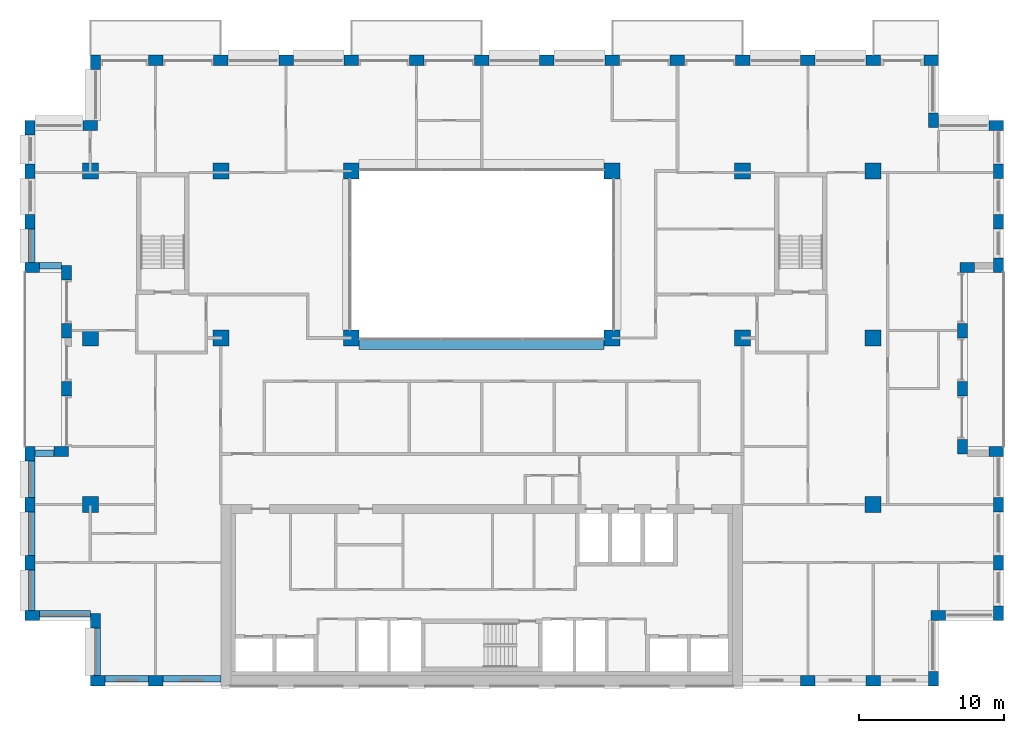
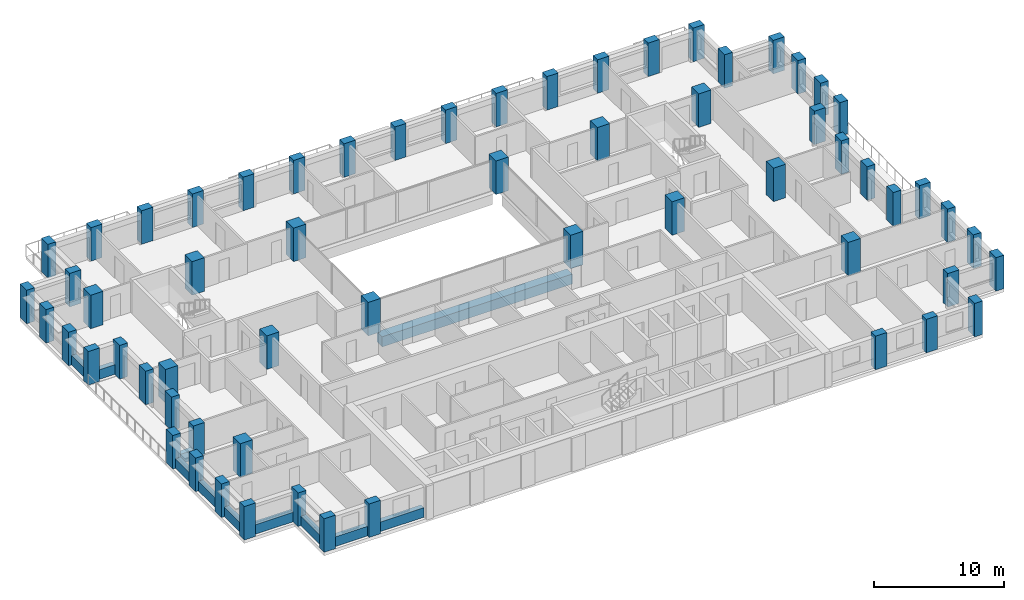
# One storey, part 1 of 16: 61 columns, 11 beams.
"""IFC4 building model written with IfcOpenShell, lengths in metres."""

from ifc_helpers import new_model, si_unit, direction, frame, origin, origin_2d, place, context, subcontext, project, spatial, rectangle, extrude, material, material_profile, profile_set, type_object, element, save


model = new_model("IFC4")

# Units and contexts
model_context = context("Model", 3, precision=1e-05, world=origin(), true_north=direction((0.0, 1.0)))
body_context = subcontext(model_context, "Body", "Model", "MODEL_VIEW")
ifc_project = project(units=[si_unit("LENGTHUNIT", "METRE"), si_unit("AREAUNIT", "SQUARE_METRE"), si_unit("VOLUMEUNIT", "CUBIC_METRE"), si_unit("PLANEANGLEUNIT", "RADIAN"), si_unit("MASSUNIT", "GRAM", prefix="KILO")], contexts=[model_context])

# Site, building, storey
site_placement = place(None, origin())
site = spatial("IfcSite", under=ifc_project, at=site_placement, CompositionType="ELEMENT")
building_placement = place(site_placement, origin())
building = spatial("IfcBuilding", under=site, at=building_placement, Name="Brigalow Station Residences", CompositionType="ELEMENT")
storey_placement = place(building_placement, frame((0.0, 0.0, 166.5)))
storey = spatial("IfcBuildingStorey", under=building, at=storey_placement, Name="L48", CompositionType="ELEMENT", Elevation=166.5)

# Columns
ifc_material_1 = material(Name="Concrete C65", Category="concrete")
ifc_material_profile_1 = material_profile(ifc_material_1, rectangle(XDim=1.10009765625, YDim=1.10009765625, at=origin_2d()), Name="RC1100x1100")
ifc_profile_set_1 = profile_set([ifc_material_profile_1], Name="Concrete C65")
column_type_1 = type_object("IfcColumnType", Name="COLUMN 1100x1100 C65", PredefinedType="COLUMN", material=ifc_profile_set_1)
for number, where, z_axis, x_axis, name in (
    (1, (9.0, 24.0, 0.0), (0.0, 0.0, 1.0), (1.0, 0.0, 0.0), "COLUMN C1 L48"),
    (2, (18.0, 24.0, 0.0), (0.0, 0.0, 1.0), (1.0, 0.0, 0.0), "COLUMN C2 L48"),
    (3, (27.0, 24.0, 0.0), (0.0, 0.0, 1.0), (1.0, 0.0, 0.0), "COLUMN C3 L48"),
    (4, (45.0, 24.0, 0.0), (0.0, 0.0, 1.0), (1.0, 0.0, 0.0), "COLUMN C5 L48"),
    (5, (54.0, 24.0, 0.0), (0.0, 0.0, 1.0), (1.0, 0.0, 0.0), "COLUMN C6 L48"),
    (6, (63.0, 24.0, 0.0), (0.0, 0.0, 1.0), (1.0, 0.0, 0.0), "COLUMN C7 L48"),
    (7, (9.0, 35.5, 0.0), (0.0, 0.0, 1.0), (1.0, 0.0, 0.0), "COLUMN D1 L48"),
    (8, (18.0, 35.5, 0.0), (0.0, 0.0, 1.0), (1.0, 0.0, 0.0), "COLUMN D2 L48"),
    (9, (27.0, 35.5, 0.0), (0.0, 0.0, 1.0), (1.0, 0.0, 0.0), "COLUMN D3 L48"),
    (10, (45.0, 35.5, 0.0), (0.0, 0.0, 1.0), (1.0, 0.0, 0.0), "COLUMN D5 L48"),
    (11, (54.0, 35.5, 0.0), (0.0, 0.0, 1.0), (1.0, 0.0, 0.0), "COLUMN D6 L48"),
    (12, (63.0, 35.5, 0.0), (0.0, 0.0, 1.0), (1.0, 0.0, 0.0), "COLUMN D7 L48"),
    (13, (9.0, 12.5, 0.0), (0.0, 0.0, 1.0), (1.0, 0.0, 0.0), "COLUMN B1 L48"),
    (14, (63.0, 12.5, 0.0), (0.0, 0.0, 1.0), (1.0, 0.0, 0.0), "COLUMN B7 L48"),
):
    element("IfcColumn", number, at=place(storey_placement, frame(where, z_axis=z_axis, x_axis=x_axis)), inside=storey, type_object=column_type_1, Name=name, PredefinedType="COLUMN", context=body_context, shape_type="SweptSolid", body=[
        extrude(rectangle(XDim=1.10009765625, YDim=1.10009765625, at=origin_2d()), origin(), (0.0, 0.0, 1.0), 3.14990234375),
    ])
ifc_material_2 = material(Name="Concrete C65", Category="concrete")
ifc_material_profile_2 = material_profile(ifc_material_2, rectangle(XDim=1.0, YDim=0.699951171875, at=origin_2d()), Name="RC1000x700")
ifc_profile_set_2 = profile_set([ifc_material_profile_2], Name="Concrete C65")
column_type_2 = type_object("IfcColumnType", Name="PIER 1000x700 C65", PredefinedType="USERDEFINED", material=ifc_profile_set_2)
for number, where, z_axis, x_axis, name in (
    (15, (9.5, 0.35009765625, 0.0), (0.0, 0.0, 1.0), (1.0, 0.0, 0.0), "PIER S-1 L48"),
    (16, (13.5, 0.35009765625, 0.0), (0.0, 0.0, 1.0), (1.0, 0.0, 0.0), "PIER S-2 L48"),
    (17, (58.5, 0.35009765625, 0.0), (0.0, 0.0, 1.0), (1.0, 0.0, 0.0), "PIER S-12 L48"),
    (18, (63.0, 0.35009765625, 0.0), (0.0, 0.0, 1.0), (1.0, 0.0, 0.0), "PIER S-13 L48"),
    (19, (67.14990234375, 0.5, 0.0), (0.0, 0.0, 1.0), (0.0, 1.0, 0.0), "PIER SE1-1 L48"),
    (20, (67.5, 4.85009765625, 0.0), (0.0, 0.0, 1.0), (1.0, 0.0, 0.0), "PIER SE2-1 L48"),
    (21, (71.64990234375, 5.0, 0.0), (0.0, 0.0, 1.0), (0.0, 1.0, 0.0), "PIER E1-1 L48"),
    (22, (71.64990234375, 8.5, 0.0), (0.0, 0.0, 1.0), (0.0, 1.0, 0.0), "PIER E1-2 L48"),
    (23, (71.64990234375, 12.5, 0.0), (0.0, 0.0, 1.0), (0.0, 1.0, 0.0), "PIER E1-3 L48"),
    (24, (71.5, 16.14990234375, 0.0), (0.0, 0.0, 1.0), (-1.0, 0.0, 0.0), "PIER EL1-1 L48"),
    (25, (69.14990234375, 16.5, 0.0), (0.0, 0.0, 1.0), (0.0, 1.0, 0.0), "PIER EL2-1 L48"),
    (26, (69.14990234375, 20.5, 0.0), (0.0, 0.0, 1.0), (0.0, 1.0, 0.0), "PIER EL2-2 L48"),
    (27, (69.14990234375, 24.5, 0.0), (0.0, 0.0, 1.0), (0.0, 1.0, 0.0), "PIER EL2-3 L48"),
    (28, (69.5, 28.85009765625, 0.0), (0.0, 0.0, 1.0), (1.0, 0.0, 0.0), "PIER EL3-1 L48"),
    (29, (71.64990234375, 29.0, 0.0), (0.0, 0.0, 1.0), (0.0, 1.0, 0.0), "PIER E2-1 L48"),
    (30, (71.64990234375, 32.0, 0.0), (0.0, 0.0, 1.0), (0.0, 1.0, 0.0), "PIER E2-2 L48"),
    (31, (71.64990234375, 35.5, 0.0), (0.0, 0.0, 1.0), (0.0, 1.0, 0.0), "PIER E2-3 L48"),
    (32, (71.5, 38.64990234375, 0.0), (0.0, 0.0, 1.0), (-1.0, 0.0, 0.0), "PIER NE1-1 L48"),
    (33, (67.14990234375, 39.0, 0.0), (0.0, 0.0, 1.0), (0.0, 1.0, 0.0), "PIER NE2-1 L48"),
    (34, (67.0, 43.14990234375, 0.0), (0.0, 0.0, 1.0), (-1.0, 0.0, 0.0), "PIER N-1 L48"),
    (35, (63.0, 43.14990234375, 0.0), (0.0, 0.0, 1.0), (-1.0, 0.0, 0.0), "PIER N-2 L48"),
    (36, (58.5, 43.14990234375, 0.0), (0.0, 0.0, 1.0), (-1.0, 0.0, 0.0), "PIER N-3 L48"),
    (37, (54.0, 43.14990234375, 0.0), (0.0, 0.0, 1.0), (-1.0, 0.0, 0.0), "PIER N-4 L48"),
    (38, (49.5, 43.14990234375, 0.0), (0.0, 0.0, 1.0), (-1.0, 0.0, 0.0), "PIER N-5 L48"),
    (39, (45.0, 43.14990234375, 0.0), (0.0, 0.0, 1.0), (-1.0, 0.0, 0.0), "PIER N-6 L48"),
    (40, (40.5, 43.14990234375, 0.0), (0.0, 0.0, 1.0), (-1.0, 0.0, 0.0), "PIER N-7 L48"),
    (41, (36.0, 43.14990234375, 0.0), (0.0, 0.0, 1.0), (-1.0, 0.0, 0.0), "PIER N-8 L48"),
    (42, (31.5, 43.14990234375, 0.0), (0.0, 0.0, 1.0), (-1.0, 0.0, 0.0), "PIER N-9 L48"),
    (43, (27.0, 43.14990234375, 0.0), (0.0, 0.0, 1.0), (-1.0, 0.0, 0.0), "PIER N-10 L48"),
    (44, (22.5, 43.14990234375, 0.0), (0.0, 0.0, 1.0), (-1.0, 0.0, 0.0), "PIER N-11 L48"),
    (45, (18.0, 43.14990234375, 0.0), (0.0, 0.0, 1.0), (-1.0, 0.0, 0.0), "PIER N-12 L48"),
    (46, (13.5, 43.14990234375, 0.0), (0.0, 0.0, 1.0), (-1.0, 0.0, 0.0), "PIER N-13 L48"),
    (47, (9.35009765625, 43.0, 0.0), (0.0, 0.0, 1.0), (0.0, -1.0, 0.0), "PIER NW1-1 L48"),
    (48, (9.0, 38.64990234375, 0.0), (0.0, 0.0, 1.0), (-1.0, 0.0, 0.0), "PIER NW2-1 L48"),
    (49, (4.85009765625, 38.5, 0.0), (0.0, 0.0, 1.0), (0.0, -1.0, 0.0), "PIER W2-1 L48"),
    (50, (4.85009765625, 35.5, 0.0), (0.0, 0.0, 1.0), (0.0, -1.0, 0.0), "PIER W2-2 L48"),
    (51, (4.85009765625, 32.0, 0.0), (0.0, 0.0, 1.0), (0.0, -1.0, 0.0), "PIER W2-3 L48"),
    (52, (5.0, 28.85009765625, 0.0), (0.0, 0.0, 1.0), (1.0, 0.0, 0.0), "PIER WL1-1 L48"),
    (53, (7.35009765625, 28.5, 0.0), (0.0, 0.0, 1.0), (0.0, -1.0, 0.0), "PIER WL2-1 L48"),
    (54, (7.35009765625, 24.5, 0.0), (0.0, 0.0, 1.0), (0.0, -1.0, 0.0), "PIER WL2-2 L48"),
    (55, (7.35009765625, 20.5, 0.0), (0.0, 0.0, 1.0), (0.0, -1.0, 0.0), "PIER WL2-3 L48"),
    (56, (7.0, 16.14990234375, 0.0), (0.0, 0.0, 1.0), (-1.0, 0.0, 0.0), "PIER WL3-1 L48"),
    (57, (4.85009765625, 16.0, 0.0), (0.0, 0.0, 1.0), (0.0, -1.0, 0.0), "PIER W1-1 L48"),
    (58, (4.85009765625, 12.5, 0.0), (0.0, 0.0, 1.0), (0.0, -1.0, 0.0), "PIER W1-2 L48"),
    (59, (4.85009765625, 8.5, 0.0), (0.0, 0.0, 1.0), (0.0, -1.0, 0.0), "PIER W1-3 L48"),
    (60, (5.0, 4.85009765625, 0.0), (0.0, 0.0, 1.0), (1.0, 0.0, 0.0), "PIER SW1-1 L48"),
    (61, (9.35009765625, 4.5, 0.0), (0.0, 0.0, 1.0), (0.0, -1.0, 0.0), "PIER SW2-1 L48"),
):
    element("IfcColumn", number, at=place(storey_placement, frame(where, z_axis=z_axis, x_axis=x_axis)), inside=storey, type_object=column_type_2, Name=name, ObjectType="PIER", PredefinedType="USERDEFINED", context=body_context, shape_type="SweptSolid", body=[
        extrude(rectangle(XDim=1.0, YDim=0.699951171875, at=origin_2d()), origin(), (0.0, 0.0, 1.0), 3.14990234375),
    ])

# Beams
ifc_material_3 = material(Name="Concrete C65", Category="concrete")
ifc_material_profile_3 = material_profile(ifc_material_3, rectangle(XDim=0.800048828125, YDim=0.949951171875, at=origin_2d()), Name="RC800x950")
ifc_profile_set_3 = profile_set([ifc_material_profile_3], Name="Concrete C65")
beam_type_1 = type_object("IfcBeamType", Name="ATRIUM EDGE GIRDER OVER 13.5 M SPAN 800x950 C65", PredefinedType="BEAM", material=ifc_profile_set_3)
beam_1_placement = place(storey_placement, frame((27.550048828125, 23.60009765625, -0.794921875), z_axis=(1.0, 0.0, 0.0), x_axis=(0.0, 1.0, 0.0)))
element("IfcBeam", 62, at=beam_1_placement, inside=storey, type_object=beam_type_1, Name="ATRIUM EDGE GIRDER C L48", PredefinedType="BEAM", context=body_context, shape_type="SweptSolid", body=[
    extrude(rectangle(XDim=0.800048828125, YDim=0.949951171875, at=origin_2d()), origin(), (0.0, 0.0, 1.0), 16.89990234375),
])
ifc_material_4 = material(Name="Concrete C50", Category="concrete")
ifc_material_profile_4 = material_profile(ifc_material_4, rectangle(XDim=0.449951171875, YDim=0.89990234375, at=origin_2d()), Name="RC450x900")
ifc_profile_set_4 = profile_set([ifc_material_profile_4], Name="Concrete C50")
beam_type_2 = type_object("IfcBeamType", Name="SPANDREL BEAM 450x900 C50", PredefinedType="SPANDREL", material=ifc_profile_set_4)
beam_2_placement = place(storey_placement, frame((10.0, 0.47509765625, 0.449951171875), z_axis=(1.0, 0.0, 0.0), x_axis=(0.0, 1.0, 0.0)))
element("IfcBeam", 63, at=beam_2_placement, inside=storey, type_object=beam_type_2, Name="L48/spandrel/W-L48-1", PredefinedType="SPANDREL", context=body_context, shape_type="SweptSolid", body=[
    extrude(rectangle(XDim=0.449951171875, YDim=0.89990234375, at=origin_2d()), origin(), (0.0, 0.0, 1.0), 3.0),
])
beam_3_placement = place(storey_placement, frame((14.0, 0.47509765625, 0.449951171875), z_axis=(1.0, 0.0, 0.0), x_axis=(0.0, 1.0, 0.0)))
element("IfcBeam", 64, at=beam_3_placement, inside=storey, type_object=beam_type_2, Name="L48/spandrel/W-L48-2", PredefinedType="SPANDREL", context=body_context, shape_type="SweptSolid", body=[
    extrude(rectangle(XDim=0.449951171875, YDim=0.89990234375, at=origin_2d()), origin(), (0.0, 0.0, 1.0), 4.0),
])
beam_4_placement = place(storey_placement, frame((4.97509765625, 31.5, 0.449951171875), z_axis=(0.0, -1.0, 0.0), x_axis=(1.0, 0.0, 0.0)))
element("IfcBeam", 65, at=beam_4_placement, inside=storey, type_object=beam_type_2, Name="L48/spandrel/W-L48-39", PredefinedType="SPANDREL", context=body_context, shape_type="SweptSolid", body=[
    extrude(rectangle(XDim=0.449951171875, YDim=0.89990234375, at=origin_2d()), origin(), (0.0, 0.0, 1.0), 2.300048828125),
])
beam_5_placement = place(storey_placement, frame((5.5, 28.97509765625, 0.449951171875), z_axis=(1.0, 0.0, 0.0), x_axis=(0.0, 1.0, 0.0)))
element("IfcBeam", 66, at=beam_5_placement, inside=storey, type_object=beam_type_2, Name="L48/spandrel/W-L48-40", PredefinedType="SPANDREL", context=body_context, shape_type="SweptSolid", body=[
    extrude(rectangle(XDim=0.449951171875, YDim=0.89990234375, at=origin_2d()), origin(), (0.0, 0.0, 1.0), 1.5),
])
beam_6_placement = place(storey_placement, frame((6.5, 16.02490234375, 0.449951171875), z_axis=(-1.0, 0.0, 0.0), x_axis=(0.0, -1.0, 0.0)))
element("IfcBeam", 67, at=beam_6_placement, inside=storey, type_object=beam_type_2, Name="L48/spandrel/W-L48-44", PredefinedType="SPANDREL", context=body_context, shape_type="SweptSolid", body=[
    extrude(rectangle(XDim=0.449951171875, YDim=0.89990234375, at=origin_2d()), origin(), (0.0, 0.0, 1.0), 1.300048828125),
])
beam_7_placement = place(storey_placement, frame((4.97509765625, 15.5, 0.449951171875), z_axis=(0.0, -1.0, 0.0), x_axis=(1.0, 0.0, 0.0)))
element("IfcBeam", 68, at=beam_7_placement, inside=storey, type_object=beam_type_2, Name="L48/spandrel/W-L48-45", PredefinedType="SPANDREL", context=body_context, shape_type="SweptSolid", body=[
    extrude(rectangle(XDim=0.449951171875, YDim=0.89990234375, at=origin_2d()), origin(), (0.0, 0.0, 1.0), 2.5),
])
beam_8_placement = place(storey_placement, frame((4.97509765625, 12.0, 0.449951171875), z_axis=(0.0, -1.0, 0.0), x_axis=(1.0, 0.0, 0.0)))
element("IfcBeam", 69, at=beam_8_placement, inside=storey, type_object=beam_type_2, Name="L48/spandrel/W-L48-46", PredefinedType="SPANDREL", context=body_context, shape_type="SweptSolid", body=[
    extrude(rectangle(XDim=0.449951171875, YDim=0.89990234375, at=origin_2d()), origin(), (0.0, 0.0, 1.0), 3.0),
])
beam_9_placement = place(storey_placement, frame((4.97509765625, 8.0, 0.449951171875), z_axis=(0.0, -1.0, 0.0), x_axis=(1.0, 0.0, 0.0)))
element("IfcBeam", 70, at=beam_9_placement, inside=storey, type_object=beam_type_2, Name="L48/spandrel/W-L48-47", PredefinedType="SPANDREL", context=body_context, shape_type="SweptSolid", body=[
    extrude(rectangle(XDim=0.449951171875, YDim=0.89990234375, at=origin_2d()), origin(), (0.0, 0.0, 1.0), 2.800048828125),
])
beam_10_placement = place(storey_placement, frame((5.5, 4.97509765625, 0.449951171875), z_axis=(1.0, 0.0, 0.0), x_axis=(0.0, 1.0, 0.0)))
element("IfcBeam", 71, at=beam_10_placement, inside=storey, type_object=beam_type_2, Name="L48/spandrel/W-L48-48", PredefinedType="SPANDREL", context=body_context, shape_type="SweptSolid", body=[
    extrude(rectangle(XDim=0.449951171875, YDim=0.89990234375, at=origin_2d()), origin(), (0.0, 0.0, 1.0), 3.5),
])
beam_11_placement = place(storey_placement, frame((9.47509765625, 4.0, 0.449951171875), z_axis=(0.0, -1.0, 0.0), x_axis=(1.0, 0.0, 0.0)))
element("IfcBeam", 72, at=beam_11_placement, inside=storey, type_object=beam_type_2, Name="L48/spandrel/W-L48-49", PredefinedType="SPANDREL", context=body_context, shape_type="SweptSolid", body=[
    extrude(rectangle(XDim=0.449951171875, YDim=0.89990234375, at=origin_2d()), origin(), (0.0, 0.0, 1.0), 3.300048828125),
])

save(model, "model.ifc")
